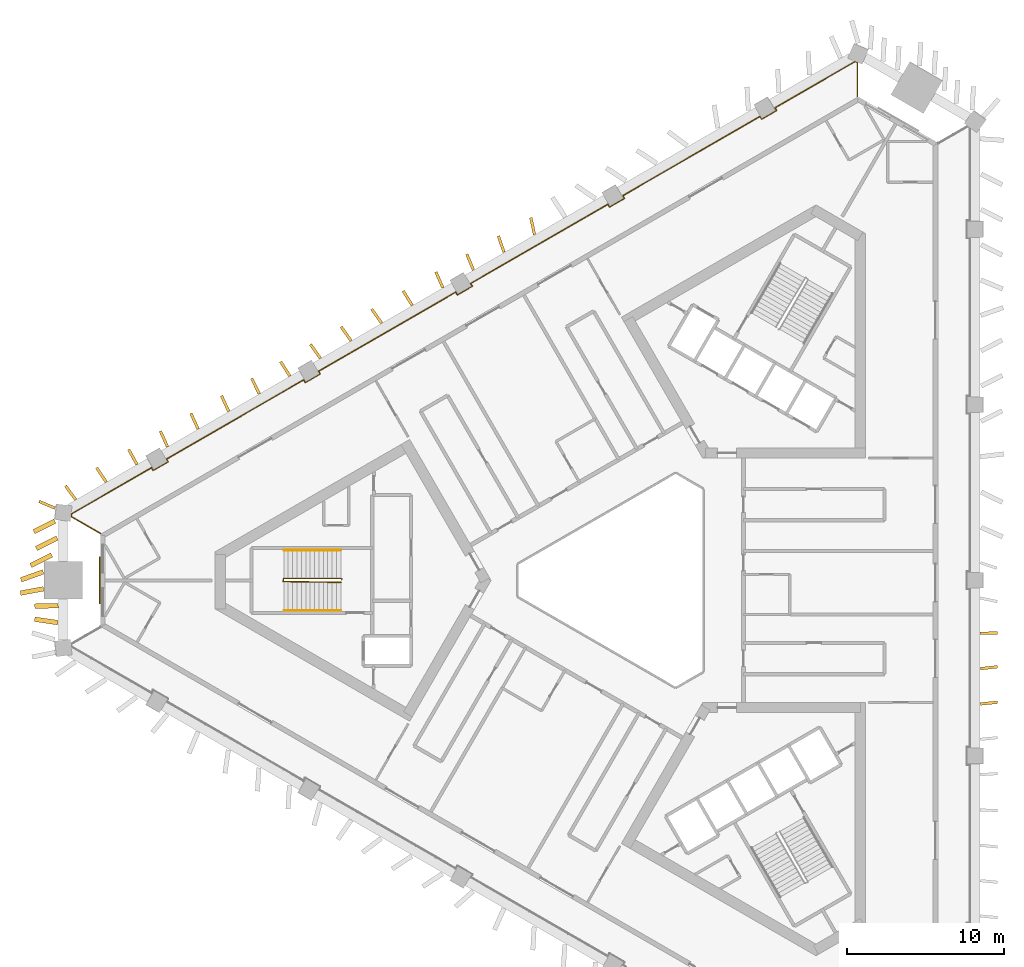
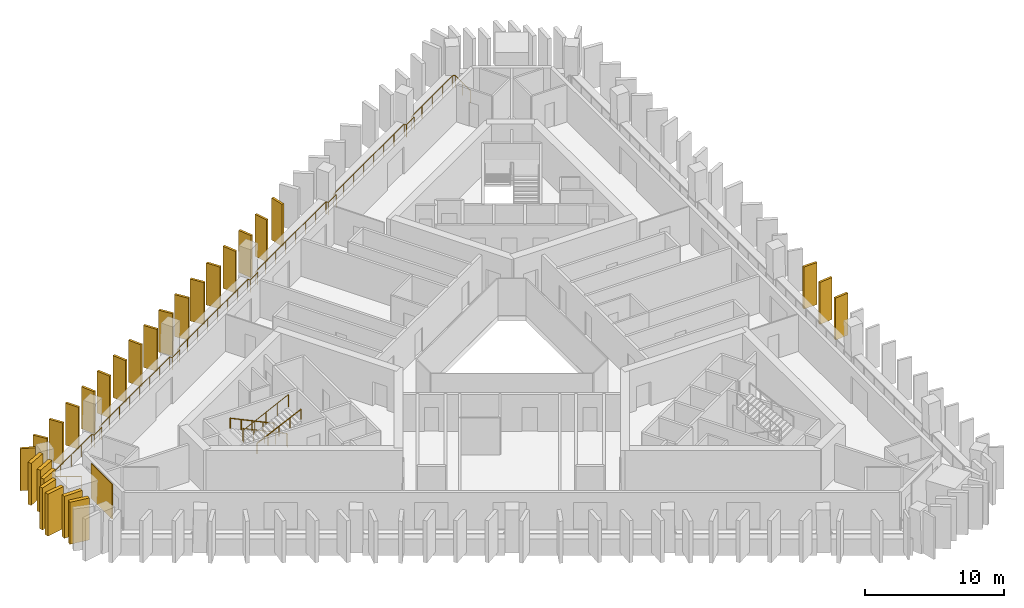
# One storey, part 9 of 10: 27 shading devices, 4 railings, 1 covering.
"""IFC4 building model written with IfcOpenShell, lengths in metres."""

from ifc_helpers import new_model, si_unit, direction, frame, frame_2d, origin, origin_2d, place, context, subcontext, project, spatial, rectangle, circle, extrude, material, layer, layer_set, type_object, element, save


model = new_model("IFC4")

# Units and contexts
model_context = context("Model", 3, precision=1e-05, world=origin(), true_north=direction((0.0, 1.0)))
body_context = subcontext(model_context, "Body", "Model", "MODEL_VIEW")
ifc_project = project(units=[si_unit("LENGTHUNIT", "METRE"), si_unit("AREAUNIT", "SQUARE_METRE"), si_unit("VOLUMEUNIT", "CUBIC_METRE"), si_unit("PLANEANGLEUNIT", "RADIAN"), si_unit("MASSUNIT", "GRAM", prefix="KILO")], contexts=[model_context])

# Site, building, storey
site_placement = place(None, origin())
site = spatial("IfcSite", under=ifc_project, at=site_placement, CompositionType="ELEMENT")
building_placement = place(site_placement, origin())
building = spatial("IfcBuilding", under=site, at=building_placement, Name="Jabali Bay Hotel Tower and Convention Centre", CompositionType="ELEMENT")
storey_placement = place(building_placement, frame((0.0, 0.0, 136.39990234375)))
storey = spatial("IfcBuildingStorey", under=building, at=storey_placement, Name="L33", CompositionType="ELEMENT", Elevation=136.39990234375)

# Railing
ifc_material_1 = material(Name="Glass", Category="glass")
railing_type_1 = type_object("IfcRailingType", Name="Loggia glass guard 1100", PredefinedType="BALUSTRADE", material=ifc_material_1)
railing_1_placement = place(storey_placement, frame((41.077392578125, 82.9912109375, 0.0)))
element("IfcRailing", 1, at=railing_1_placement, inside=storey, type_object=railing_type_1, Name="Loggia glass guard L33", PredefinedType="BALUSTRADE", context=body_context, shape_type="SweptSolid", body=[
    extrude(circle(Radius=0.02490234375, at=origin_2d()), frame((0.0, 0.0, 1.0751953125), z_axis=(-0.866035399557, 0.499982686414, 0.0), x_axis=(-0.495705265221, -0.858626346659, 0.13052619222)), (0.0, 0.0, 1.0), 2.16552734375),
    extrude(circle(Radius=0.02490234375, at=origin_2d()), frame((-1.87548828125, 1.082763671875, 1.0751953125), z_axis=(0.119207070312, 0.99286941457, 0.0), x_axis=(-0.98437527909, 0.1181872373, 0.13052619222)), (0.0, 0.0, 1.0), 0.15576171875),
    extrude(circle(Radius=0.02490234375, at=origin_2d()), frame((-1.85693359375, 1.2373046875, 1.0751953125), z_axis=(0.866023265602, 0.500003703423, 0.0), x_axis=(-0.495726102427, 0.858614316511, 0.13052619222)), (0.0, 0.0, 1.0), 5.9111328125),
    extrude(circle(Radius=0.02490234375, at=origin_2d()), frame((3.26220703125, 4.19287109375, 1.0751953125), z_axis=(0.499687197852, -0.866205924883, 0.0), x_axis=(0.858795413117, 0.495412304605, 0.13052619222)), (0.0, 0.0, 1.0), 0.199951171875),
    extrude(circle(Radius=0.02490234375, at=origin_2d()), frame((3.362060546875, 4.019775390625, 1.0751953125), z_axis=(0.866008176907, 0.50002983664, 0.0), x_axis=(-0.495752012071, 0.858599356902, 0.13052619222)), (0.0, 0.0, 1.0), 1.10009765625),
    extrude(circle(Radius=0.02490234375, at=origin_2d()), frame((4.314697265625, 4.56982421875, 1.0751953125), z_axis=(-0.499687197852, 0.866205924883, 0.0), x_axis=(-0.858795413117, -0.495412304605, 0.13052619222)), (0.0, 0.0, 1.0), 0.199951171875),
    extrude(circle(Radius=0.02490234375, at=origin_2d()), frame((4.21484375, 4.742919921875, 1.0751953125), z_axis=(0.866022241808, 0.500005476663, 0.0), x_axis=(-0.495727860496, 0.858613301476, 0.13052619222)), (0.0, 0.0, 1.0), 10.10546875),
    extrude(circle(Radius=0.02490234375, at=origin_2d()), frame((12.96630859375, 9.795654296875, 1.0751953125), z_axis=(0.499158860599, -0.866510491504, 0.0), x_axis=(0.859097374128, 0.49488848735, 0.13052619222)), (0.0, 0.0, 1.0), 0.199951171875),
    extrude(circle(Radius=0.02490234375, at=origin_2d()), frame((13.066162109375, 9.622314453125, 1.0751953125), z_axis=(0.866008176907, 0.50002983664, 0.0), x_axis=(-0.495752012071, 0.858599356902, 0.13052619222)), (0.0, 0.0, 1.0), 1.10009765625),
    extrude(circle(Radius=0.02490234375, at=origin_2d()), frame((14.018798828125, 10.17236328125, 1.0751953125), z_axis=(-0.499158860599, 0.866510491504, 0.0), x_axis=(-0.859097374128, -0.49488848735, 0.13052619222)), (0.0, 0.0, 1.0), 0.199951171875),
    extrude(circle(Radius=0.02490234375, at=origin_2d()), frame((13.9189453125, 10.345703125, 1.0751953125), z_axis=(0.866032703202, 0.499987356825, 0.0), x_axis=(-0.495709895676, 0.858623673371, 0.13052619222)), (0.0, 0.0, 1.0), 10.105224609375),
    extrude(circle(Radius=0.02490234375, at=origin_2d()), frame((22.67041015625, 15.398193359375, 1.0751953125), z_axis=(0.499687197852, -0.866205924883, 0.0), x_axis=(0.858795413117, 0.495412304605, 0.13052619222)), (0.0, 0.0, 1.0), 0.199951171875),
    extrude(circle(Radius=0.02490234375, at=origin_2d()), frame((22.770263671875, 15.22509765625, 1.0751953125), z_axis=(0.866008176907, 0.50002983664, 0.0), x_axis=(-0.495752012071, 0.858599356902, 0.13052619222)), (0.0, 0.0, 1.0), 1.10009765625),
    extrude(circle(Radius=0.02490234375, at=origin_2d()), frame((23.722900390625, 15.775146484375, 1.0751953125), z_axis=(-0.499687197852, 0.866205924883, 0.0), x_axis=(-0.858795413117, -0.495412304605, 0.13052619222)), (0.0, 0.0, 1.0), 0.199951171875),
    extrude(circle(Radius=0.02490234375, at=origin_2d()), frame((23.623046875, 15.9482421875, 1.0751953125), z_axis=(0.866022241808, 0.500005476663, 0.0), x_axis=(-0.495727860496, 0.858613301476, 0.13052619222)), (0.0, 0.0, 1.0), 10.10546875),
    extrude(circle(Radius=0.02490234375, at=origin_2d()), frame((32.37451171875, 21.0009765625, 1.0751953125), z_axis=(0.499158860599, -0.866510491504, 0.0), x_axis=(0.859097374128, 0.49488848735, 0.13052619222)), (0.0, 0.0, 1.0), 0.199951171875),
    extrude(circle(Radius=0.02490234375, at=origin_2d()), frame((32.474365234375, 20.82763671875, 1.0751953125), z_axis=(0.866008176907, 0.50002983664, 0.0), x_axis=(-0.495752012071, 0.858599356902, 0.13052619222)), (0.0, 0.0, 1.0), 1.10009765625),
    extrude(circle(Radius=0.02490234375, at=origin_2d()), frame((33.427001953125, 21.377685546875, 1.0751953125), z_axis=(-0.499158860599, 0.866510491504, 0.0), x_axis=(-0.859097374128, -0.49488848735, 0.13052619222)), (0.0, 0.0, 1.0), 0.199951171875),
    extrude(circle(Radius=0.02490234375, at=origin_2d()), frame((33.3271484375, 21.551025390625, 1.0751953125), z_axis=(0.866032703202, 0.499987356825, 0.0), x_axis=(-0.495709895676, 0.858623673371, 0.13052619222)), (0.0, 0.0, 1.0), 10.105224609375),
    extrude(circle(Radius=0.02490234375, at=origin_2d()), frame((42.07861328125, 26.603515625, 1.0751953125), z_axis=(0.499687197852, -0.866205924883, 0.0), x_axis=(0.858795413117, 0.495412304605, 0.13052619222)), (0.0, 0.0, 1.0), 0.199951171875),
    extrude(circle(Radius=0.02490234375, at=origin_2d()), frame((42.178466796875, 26.430419921875, 1.0751953125), z_axis=(0.866008176907, 0.50002983664, 0.0), x_axis=(-0.495752012071, 0.858599356902, 0.13052619222)), (0.0, 0.0, 1.0), 1.10009765625),
    extrude(circle(Radius=0.02490234375, at=origin_2d()), frame((43.131103515625, 26.98046875, 1.0751953125), z_axis=(-0.499687197852, 0.866205924883, 0.0), x_axis=(-0.858795413117, -0.495412304605, 0.13052619222)), (0.0, 0.0, 1.0), 0.199951171875),
    extrude(circle(Radius=0.02490234375, at=origin_2d()), frame((43.03125, 27.153564453125, 1.0751953125), z_axis=(0.866023265602, 0.500003703423, 0.0), x_axis=(-0.495726102427, 0.858614316511, 0.13052619222)), (0.0, 0.0, 1.0), 5.9111328125),
    extrude(circle(Radius=0.02490234375, at=origin_2d()), frame((48.150390625, 30.109130859375, 1.0751953125), z_axis=(0.919226147347, -0.393729970962, 0.0), x_axis=(0.39036155648, 0.911362040227, 0.13052619222)), (0.0, 0.0, 1.0), 0.155517578125),
    extrude(circle(Radius=0.02490234375, at=origin_2d()), frame((48.29345703125, 30.0478515625, 1.0751953125), z_axis=(0.0, -1.0, 0.0), x_axis=(0.991444861374, 0.0, 0.13052619222)), (0.0, 0.0, 1.0), 2.16552734375),
    extrude(circle(Radius=0.02001953125, at=origin_2d()), origin(), (0.0, 0.0, 1.0), 1.050048828125),
    extrude(circle(Radius=0.02001953125, at=origin_2d()), frame((-0.937744140625, 0.54150390625, 0.0)), (0.0, 0.0, 1.0), 1.050048828125),
    extrude(circle(Radius=0.02001953125, at=origin_2d()), frame((-1.87548828125, 1.082763671875, 0.0)), (0.0, 0.0, 1.0), 1.050048828125),
    extrude(circle(Radius=0.02001953125, at=origin_2d()), frame((-1.85693359375, 1.2373046875, 0.0)), (0.0, 0.0, 1.0), 1.050048828125),
    extrude(circle(Radius=0.02001953125, at=origin_2d()), frame((-0.5771484375, 1.97607421875, 0.0)), (0.0, 0.0, 1.0), 1.050048828125),
    extrude(circle(Radius=0.02001953125, at=origin_2d()), frame((0.70263671875, 2.715087890625, 0.0)), (0.0, 0.0, 1.0), 1.050048828125),
    extrude(circle(Radius=0.02001953125, at=origin_2d()), frame((1.982421875, 3.4541015625, 0.0)), (0.0, 0.0, 1.0), 1.050048828125),
    extrude(circle(Radius=0.02001953125, at=origin_2d()), frame((3.26220703125, 4.19287109375, 0.0)), (0.0, 0.0, 1.0), 1.050048828125),
    extrude(circle(Radius=0.02001953125, at=origin_2d()), frame((3.362060546875, 4.019775390625, 0.0)), (0.0, 0.0, 1.0), 1.050048828125),
    extrude(circle(Radius=0.02001953125, at=origin_2d()), frame((4.314697265625, 4.56982421875, 0.0)), (0.0, 0.0, 1.0), 1.050048828125),
    extrude(circle(Radius=0.02001953125, at=origin_2d()), frame((4.21484375, 4.742919921875, 0.0)), (0.0, 0.0, 1.0), 1.050048828125),
    extrude(circle(Radius=0.02001953125, at=origin_2d()), frame((5.465087890625, 5.46484375, 0.0)), (0.0, 0.0, 1.0), 1.050048828125),
    extrude(circle(Radius=0.02001953125, at=origin_2d()), frame((6.71533203125, 6.1865234375, 0.0)), (0.0, 0.0, 1.0), 1.050048828125),
    extrude(circle(Radius=0.02001953125, at=origin_2d()), frame((7.965576171875, 6.908447265625, 0.0)), (0.0, 0.0, 1.0), 1.050048828125),
    extrude(circle(Radius=0.02001953125, at=origin_2d()), frame((9.215576171875, 7.630126953125, 0.0)), (0.0, 0.0, 1.0), 1.050048828125),
    extrude(circle(Radius=0.02001953125, at=origin_2d()), frame((10.4658203125, 8.35205078125, 0.0)), (0.0, 0.0, 1.0), 1.050048828125),
    extrude(circle(Radius=0.02001953125, at=origin_2d()), frame((11.716064453125, 9.07373046875, 0.0)), (0.0, 0.0, 1.0), 1.050048828125),
    extrude(circle(Radius=0.02001953125, at=origin_2d()), frame((12.96630859375, 9.795654296875, 0.0)), (0.0, 0.0, 1.0), 1.050048828125),
    extrude(circle(Radius=0.02001953125, at=origin_2d()), frame((13.066162109375, 9.622314453125, 0.0)), (0.0, 0.0, 1.0), 1.050048828125),
    extrude(circle(Radius=0.02001953125, at=origin_2d()), frame((14.018798828125, 10.17236328125, 0.0)), (0.0, 0.0, 1.0), 1.050048828125),
    extrude(circle(Radius=0.02001953125, at=origin_2d()), frame((13.9189453125, 10.345703125, 0.0)), (0.0, 0.0, 1.0), 1.050048828125),
    extrude(circle(Radius=0.02001953125, at=origin_2d()), frame((15.169189453125, 11.0673828125, 0.0)), (0.0, 0.0, 1.0), 1.050048828125),
    extrude(circle(Radius=0.02001953125, at=origin_2d()), frame((16.41943359375, 11.789306640625, 0.0)), (0.0, 0.0, 1.0), 1.050048828125),
    extrude(circle(Radius=0.02001953125, at=origin_2d()), frame((17.669677734375, 12.510986328125, 0.0)), (0.0, 0.0, 1.0), 1.050048828125),
    extrude(circle(Radius=0.02001953125, at=origin_2d()), frame((18.919677734375, 13.23291015625, 0.0)), (0.0, 0.0, 1.0), 1.050048828125),
    extrude(circle(Radius=0.02001953125, at=origin_2d()), frame((20.169921875, 13.95458984375, 0.0)), (0.0, 0.0, 1.0), 1.050048828125),
    extrude(circle(Radius=0.02001953125, at=origin_2d()), frame((21.420166015625, 14.676513671875, 0.0)), (0.0, 0.0, 1.0), 1.050048828125),
    extrude(circle(Radius=0.02001953125, at=origin_2d()), frame((22.67041015625, 15.398193359375, 0.0)), (0.0, 0.0, 1.0), 1.050048828125),
    extrude(circle(Radius=0.02001953125, at=origin_2d()), frame((22.770263671875, 15.22509765625, 0.0)), (0.0, 0.0, 1.0), 1.050048828125),
    extrude(circle(Radius=0.02001953125, at=origin_2d()), frame((23.722900390625, 15.775146484375, 0.0)), (0.0, 0.0, 1.0), 1.050048828125),
    extrude(circle(Radius=0.02001953125, at=origin_2d()), frame((23.623046875, 15.9482421875, 0.0)), (0.0, 0.0, 1.0), 1.050048828125),
    extrude(circle(Radius=0.02001953125, at=origin_2d()), frame((24.873291015625, 16.670166015625, 0.0)), (0.0, 0.0, 1.0), 1.050048828125),
    extrude(circle(Radius=0.02001953125, at=origin_2d()), frame((26.12353515625, 17.391845703125, 0.0)), (0.0, 0.0, 1.0), 1.050048828125),
    extrude(circle(Radius=0.02001953125, at=origin_2d()), frame((27.373779296875, 18.11376953125, 0.0)), (0.0, 0.0, 1.0), 1.050048828125),
    extrude(circle(Radius=0.02001953125, at=origin_2d()), frame((28.623779296875, 18.83544921875, 0.0)), (0.0, 0.0, 1.0), 1.050048828125),
    extrude(circle(Radius=0.02001953125, at=origin_2d()), frame((29.8740234375, 19.557373046875, 0.0)), (0.0, 0.0, 1.0), 1.050048828125),
    extrude(circle(Radius=0.02001953125, at=origin_2d()), frame((31.124267578125, 20.279052734375, 0.0)), (0.0, 0.0, 1.0), 1.050048828125),
    extrude(circle(Radius=0.02001953125, at=origin_2d()), frame((32.37451171875, 21.0009765625, 0.0)), (0.0, 0.0, 1.0), 1.050048828125),
    extrude(circle(Radius=0.02001953125, at=origin_2d()), frame((32.474365234375, 20.82763671875, 0.0)), (0.0, 0.0, 1.0), 1.050048828125),
    extrude(circle(Radius=0.02001953125, at=origin_2d()), frame((33.427001953125, 21.377685546875, 0.0)), (0.0, 0.0, 1.0), 1.050048828125),
    extrude(circle(Radius=0.02001953125, at=origin_2d()), frame((33.3271484375, 21.551025390625, 0.0)), (0.0, 0.0, 1.0), 1.050048828125),
    extrude(circle(Radius=0.02001953125, at=origin_2d()), frame((34.577392578125, 22.272705078125, 0.0)), (0.0, 0.0, 1.0), 1.050048828125),
    extrude(circle(Radius=0.02001953125, at=origin_2d()), frame((35.82763671875, 22.99462890625, 0.0)), (0.0, 0.0, 1.0), 1.050048828125),
    extrude(circle(Radius=0.02001953125, at=origin_2d()), frame((37.077880859375, 23.71630859375, 0.0)), (0.0, 0.0, 1.0), 1.050048828125),
    extrude(circle(Radius=0.02001953125, at=origin_2d()), frame((38.327880859375, 24.438232421875, 0.0)), (0.0, 0.0, 1.0), 1.050048828125),
    extrude(circle(Radius=0.02001953125, at=origin_2d()), frame((39.578125, 25.159912109375, 0.0)), (0.0, 0.0, 1.0), 1.050048828125),
    extrude(circle(Radius=0.02001953125, at=origin_2d()), frame((40.828369140625, 25.8818359375, 0.0)), (0.0, 0.0, 1.0), 1.050048828125),
    extrude(circle(Radius=0.02001953125, at=origin_2d()), frame((42.07861328125, 26.603515625, 0.0)), (0.0, 0.0, 1.0), 1.050048828125),
    extrude(circle(Radius=0.02001953125, at=origin_2d()), frame((42.178466796875, 26.430419921875, 0.0)), (0.0, 0.0, 1.0), 1.050048828125),
    extrude(circle(Radius=0.02001953125, at=origin_2d()), frame((43.131103515625, 26.98046875, 0.0)), (0.0, 0.0, 1.0), 1.050048828125),
    extrude(circle(Radius=0.02001953125, at=origin_2d()), frame((43.03125, 27.153564453125, 0.0)), (0.0, 0.0, 1.0), 1.050048828125),
    extrude(circle(Radius=0.02001953125, at=origin_2d()), frame((44.31103515625, 27.892578125, 0.0)), (0.0, 0.0, 1.0), 1.050048828125),
    extrude(circle(Radius=0.02001953125, at=origin_2d()), frame((45.5908203125, 28.63134765625, 0.0)), (0.0, 0.0, 1.0), 1.050048828125),
    extrude(circle(Radius=0.02001953125, at=origin_2d()), frame((46.87060546875, 29.3701171875, 0.0)), (0.0, 0.0, 1.0), 1.050048828125),
    extrude(circle(Radius=0.02001953125, at=origin_2d()), frame((48.150390625, 30.109130859375, 0.0)), (0.0, 0.0, 1.0), 1.050048828125),
    extrude(circle(Radius=0.02001953125, at=origin_2d()), frame((48.29345703125, 30.0478515625, 0.0)), (0.0, 0.0, 1.0), 1.050048828125),
    extrude(circle(Radius=0.02001953125, at=origin_2d()), frame((48.29345703125, 28.965087890625, 0.0)), (0.0, 0.0, 1.0), 1.050048828125),
    extrude(circle(Radius=0.02001953125, at=origin_2d()), frame((48.29345703125, 27.88232421875, 0.0)), (0.0, 0.0, 1.0), 1.050048828125),
])

# Shading devices
ifc_material_2 = material(Name="Precast concrete C60", Category="concrete")
ifc_layer_1 = layer(ifc_material_2, 0.179931640625)
ifc_layer_set_1 = layer_set([ifc_layer_1], Name="Precast concrete C60")
shading_device_type_1 = type_object("IfcShadingDeviceType", Name="Precast fin 3680 x 1100", PredefinedType="USERDEFINED", material=ifc_layer_set_1)
for number, where, z_axis, x_axis, name in (
    (2, (97.203125, 72.1123046875, 0.010009765625), (0.0, 0.0, 1.0), (0.995067903191, 0.099196108993, 0.0), "Fin L33 009"),
    (3, (97.2041015625, 74.365966796875, 0.010009765625), (0.0, 0.0, 1.0), (0.994069067808, 0.108750578974, 0.0), "Fin L33 010"),
    (4, (97.1962890625, 76.61962890625, 0.010009765625), (0.0, 0.0, 1.0), (0.999763474232, 0.021748461815, 0.0), "Fin L33 011"),
    (5, (68.768310546875, 102.0615234375, 0.010009765625), (0.0, 0.0, 1.0), (-0.211498965694, 0.97737822132, 0.0), "Fin L33 044"),
):
    element("IfcShadingDevice", number, at=place(storey_placement, frame(where, z_axis=z_axis, x_axis=x_axis)), inside=storey, type_object=shading_device_type_1, Name=name, ObjectType="FIN", PredefinedType="USERDEFINED", context=body_context, shape_type="SweptSolid", body=[
        extrude(rectangle(XDim=1.10009765625, YDim=0.179931640625, at=frame_2d((0.550048828125, 0.0))), origin(), (0.0, 0.0, 1.0), 3.68017578125),
    ])
shading_device_1_placement = place(storey_placement, frame((66.821533203125, 100.92626953125, 0.010009765625), z_axis=(0.0, 0.0, 1.0), x_axis=(-0.321417199148, 0.946937687544, 0.0)))
element("IfcShadingDevice", 6, at=shading_device_1_placement, inside=storey, type_object=shading_device_type_1, Name="Fin L33 045", ObjectType="FIN", PredefinedType="USERDEFINED", context=body_context, shape_type="SweptSolid", body=[
    extrude(rectangle(XDim=1.099853515625, YDim=0.179931640625, at=frame_2d((0.5498046875, 0.0))), origin(), (0.0, 0.0, 1.0), 3.68017578125),
])
shading_device_2_placement = place(storey_placement, frame((64.872802734375, 99.79443359375, 0.010009765625), z_axis=(0.0, 0.0, 1.0), x_axis=(-0.382155768677, 0.924097921471, 0.0)))
element("IfcShadingDevice", 7, at=shading_device_2_placement, inside=storey, type_object=shading_device_type_1, Name="Fin L33 046", ObjectType="FIN", PredefinedType="USERDEFINED", context=body_context, shape_type="SweptSolid", body=[
    extrude(rectangle(XDim=1.10009765625, YDim=0.179931640625, at=frame_2d((0.550048828125, 0.0))), origin(), (0.0, 0.0, 1.0), 3.68017578125),
])
for number, where, z_axis, x_axis, name in (
    (8, (62.922119140625, 98.665771484375, 0.010009765625), (0.0, 0.0, 1.0), (-0.40463453247, 0.914478482597, 0.0), "Fin L33 047"),
    (9, (60.9736328125, 97.53369140625, 0.010009765625), (0.0, 0.0, 1.0), (-0.532689641282, 0.846310667587, 0.0), "Fin L33 048"),
):
    element("IfcShadingDevice", number, at=place(storey_placement, frame(where, z_axis=z_axis, x_axis=x_axis)), inside=storey, type_object=shading_device_type_1, Name=name, ObjectType="FIN", PredefinedType="USERDEFINED", context=body_context, shape_type="SweptSolid", body=[
        extrude(rectangle(XDim=1.099853515625, YDim=0.179931640625, at=frame_2d((0.5498046875, 0.0))), origin(), (0.0, 0.0, 1.0), 3.68017578125),
    ])
for number, where, z_axis, x_axis, name in (
    (10, (59.019287109375, 96.411376953125, 0.010009765625), (0.0, 0.0, 1.0), (-0.580398075065, 0.814332901497, 0.0), "Fin L33 049"),
    (11, (57.067626953125, 95.284423828125, 0.010009765625), (0.0, 0.0, 1.0), (-0.579494305138, 0.814976288191, 0.0), "Fin L33 050"),
):
    element("IfcShadingDevice", number, at=place(storey_placement, frame(where, z_axis=z_axis, x_axis=x_axis)), inside=storey, type_object=shading_device_type_1, Name=name, ObjectType="FIN", PredefinedType="USERDEFINED", context=body_context, shape_type="SweptSolid", body=[
        extrude(rectangle(XDim=1.10009765625, YDim=0.179931640625, at=frame_2d((0.550048828125, 0.0))), origin(), (0.0, 0.0, 1.0), 3.68017578125),
    ])
for number, where, z_axis, x_axis, name in (
    (12, (55.115966796875, 94.157470703125, 0.010009765625), (0.0, 0.0, 1.0), (-0.579094563248, 0.815260379766, 0.0), "Fin L33 051"),
    (13, (53.16650390625, 93.027099609375, 0.010009765625), (0.0, 0.0, 1.0), (-0.540690280945, 0.841221742522, 0.0), "Fin L33 052"),
    (14, (51.214111328125, 91.901611328125, 0.010009765625), (0.0, 0.0, 1.0), (-0.444370211076, 0.895843242709, 0.0), "Fin L33 053"),
):
    element("IfcShadingDevice", number, at=place(storey_placement, frame(where, z_axis=z_axis, x_axis=x_axis)), inside=storey, type_object=shading_device_type_1, Name=name, ObjectType="FIN", PredefinedType="USERDEFINED", context=body_context, shape_type="SweptSolid", body=[
        extrude(rectangle(XDim=1.099853515625, YDim=0.179931640625, at=frame_2d((0.5498046875, 0.0))), origin(), (0.0, 0.0, 1.0), 3.68017578125),
    ])
shading_device_3_placement = place(storey_placement, frame((49.260986328125, 90.777099609375, 0.010009765625), z_axis=(0.0, 0.0, 1.0), x_axis=(-0.416593570775, 0.909092842777, 0.0)))
element("IfcShadingDevice", 15, at=shading_device_3_placement, inside=storey, type_object=shading_device_type_1, Name="Fin L33 054", ObjectType="FIN", PredefinedType="USERDEFINED", context=body_context, shape_type="SweptSolid", body=[
    extrude(rectangle(XDim=1.10009765625, YDim=0.179931640625, at=frame_2d((0.550048828125, 0.0))), origin(), (0.0, 0.0, 1.0), 3.68017578125),
])
for number, where, z_axis, x_axis, name in (
    (16, (47.309326171875, 89.650390625, 0.010009765625), (0.0, 0.0, 1.0), (-0.4164101177, 0.909176888112, 0.0), "Fin L33 055"),
    (17, (45.357666015625, 88.523681640625, 0.010009765625), (0.0, 0.0, 1.0), (-0.41595908255, 0.909383330419, 0.0), "Fin L33 056"),
):
    element("IfcShadingDevice", number, at=place(storey_placement, frame(where, z_axis=z_axis, x_axis=x_axis)), inside=storey, type_object=shading_device_type_1, Name=name, ObjectType="FIN", PredefinedType="USERDEFINED", context=body_context, shape_type="SweptSolid", body=[
        extrude(rectangle(XDim=1.099853515625, YDim=0.179931640625, at=frame_2d((0.5498046875, 0.0))), origin(), (0.0, 0.0, 1.0), 3.68017578125),
    ])
for number, where, z_axis, x_axis, name in (
    (18, (43.409423828125, 87.390869140625, 0.010009765625), (0.0, 0.0, 1.0), (-0.482889603264, 0.875681238271, 0.0), "Fin L33 057"),
    (19, (41.455322265625, 86.26806640625, 0.010009765625), (0.0, 0.0, 1.0), (-0.559964482852, 0.828516612956, 0.0), "Fin L33 058"),
    (20, (39.501953125, 85.14453125, 0.010009765625), (0.0, 0.0, 1.0), (-0.592373502207, 0.805663474339, 0.0), "Fin L33 059"),
):
    element("IfcShadingDevice", number, at=place(storey_placement, frame(where, z_axis=z_axis, x_axis=x_axis)), inside=storey, type_object=shading_device_type_1, Name=name, ObjectType="FIN", PredefinedType="USERDEFINED", context=body_context, shape_type="SweptSolid", body=[
        extrude(rectangle(XDim=1.10009765625, YDim=0.179931640625, at=frame_2d((0.550048828125, 0.0))), origin(), (0.0, 0.0, 1.0), 3.68017578125),
    ])
shading_device_4_placement = place(storey_placement, frame((38.1826171875, 84.604736328125, 0.010009765625), z_axis=(0.0, 0.0, 1.0), x_axis=(-0.920334913841, 0.391131239312, 0.0)))
element("IfcShadingDevice", 21, at=shading_device_4_placement, inside=storey, type_object=shading_device_type_1, Name="Fin L33 105", ObjectType="FIN", PredefinedType="USERDEFINED", context=body_context, shape_type="SweptSolid", body=[
    extrude(rectangle(XDim=1.099853515625, YDim=0.179931640625, at=frame_2d((0.5498046875, 0.0))), origin(), (0.0, 0.0, 1.0), 3.68017578125),
])
ifc_layer_2 = layer(ifc_material_2, 0.300048828125)
ifc_layer_set_2 = layer_set([ifc_layer_2], Name="Precast concrete C60")
shading_device_type_2 = type_object("IfcShadingDeviceType", Name="Precast fin 3680 x 1500", PredefinedType="USERDEFINED", material=ifc_layer_set_2)
for number, where, z_axis, x_axis, name in (
    (22, (38.173583984375, 83.779296875, 0.010009765625), (0.0, 0.0, 1.0), (-0.893186849307, -0.449685726063, 0.0), "Fin L33 060"),
    (23, (38.322998046875, 82.699462890625, 0.010009765625), (0.0, 0.0, 1.0), (-0.893252214826, -0.449555870508, 0.0), "Fin L33 061"),
    (24, (37.978271484375, 81.61962890625, 0.010009765625), (0.0, 0.0, 1.0), (-0.893252214826, -0.449555870508, 0.0), "Fin L33 062"),
    (25, (37.427490234375, 80.539794921875, 0.010009765625), (0.0, 0.0, 1.0), (-0.941764004493, -0.336274530467, 0.0), "Fin L33 063"),
):
    element("IfcShadingDevice", number, at=place(storey_placement, frame(where, z_axis=z_axis, x_axis=x_axis)), inside=storey, type_object=shading_device_type_2, Name=name, ObjectType="FIN", PredefinedType="USERDEFINED", context=body_context, shape_type="SweptSolid", body=[
        extrude(rectangle(XDim=1.5, YDim=0.300048828125, at=frame_2d((0.75, 0.0))), origin(), (0.0, 0.0, 1.0), 3.68017578125),
    ])
for number, where, z_axis, x_axis, name in (
    (26, (37.45068359375, 79.460205078125, 0.010009765625), (0.0, 0.0, 1.0), (-0.983127327075, -0.182922548524, 0.0), "Fin L33 064"),
    (27, (38.38818359375, 78.38037109375, 0.010009765625), (0.0, 0.0, 1.0), (-0.999870206358, -0.016111189849, 0.0), "Fin L33 065"),
):
    element("IfcShadingDevice", number, at=place(storey_placement, frame(where, z_axis=z_axis, x_axis=x_axis)), inside=storey, type_object=shading_device_type_2, Name=name, ObjectType="FIN", PredefinedType="USERDEFINED", context=body_context, shape_type="SweptSolid", body=[
        extrude(rectangle(XDim=1.500244140625, YDim=0.300048828125, at=frame_2d((0.75, 0.0))), origin(), (0.0, 0.0, 1.0), 3.68017578125),
    ])
shading_device_5_placement = place(storey_placement, frame((38.36865234375, 77.300537109375, 0.010009765625), z_axis=(0.0, 0.0, 1.0), x_axis=(-0.989308080173, 0.145840743638, 0.0)))
element("IfcShadingDevice", 28, at=shading_device_5_placement, inside=storey, type_object=shading_device_type_2, Name="Fin L33 066", ObjectType="FIN", PredefinedType="USERDEFINED", context=body_context, shape_type="SweptSolid", body=[
    extrude(rectangle(XDim=1.5, YDim=0.300048828125, at=frame_2d((0.75, 0.0))), origin(), (0.0, 0.0, 1.0), 3.68017578125),
])

# Covering
ifc_material_3 = material(Name="Precast concrete C40/50", Category="concrete")
ifc_layer_3 = layer(ifc_material_3, 0.080078125)
ifc_layer_set_3 = layer_set([ifc_layer_3], Name="Precast concrete C40/50")
covering_type = type_object("IfcCoveringType", Name="Relief panel 3000 x 3050", PredefinedType="CLADDING", material=ifc_layer_set_3)
covering_placement = place(storey_placement, frame((41.037353515625, 80.0, 0.10009765625), z_axis=(0.0, 0.0, 1.0), x_axis=(0.0, 1.0, 0.0)))
element("IfcCovering", 29, at=covering_placement, inside=storey, type_object=covering_type, Name="Relief panel L33", PredefinedType="CLADDING", context=body_context, shape_type="SweptSolid", body=[
    extrude(rectangle(XDim=3.0, YDim=0.080078125, at=origin_2d()), origin(), (0.0, 0.0, 1.0), 3.050048828125),
])

# Railings
ifc_material_4 = material(Name="Steel Q355B", Category="steel")
railing_type_2 = type_object("IfcRailingType", Name="Stair guard 1100", PredefinedType="GUARDRAIL", material=ifc_material_4)
railing_2_placement = place(storey_placement, frame((56.469970703125, 80.074951171875, 0.0)))
element("IfcRailing", 30, at=railing_2_placement, inside=storey, type_object=railing_type_2, Name="L33 ST1 stair guard 1", PredefinedType="GUARDRAIL", context=body_context, shape_type="SweptSolid", body=[
    extrude(circle(Radius=0.02392578125, at=origin_2d()), frame((0.0, 0.0, 1.076171875), z_axis=(-0.333514590198, 0.333514590198, 0.881780038474), x_axis=(-0.707106781187, -0.707106781187, 0.0)), (0.0, 0.0, 1.0), 0.150146484375),
    extrude(circle(Radius=0.02392578125, at=origin_2d()), frame((-0.050048828125, 0.050048828125, 1.20849609375), z_axis=(-0.904350763662, 0.0, 0.426789990819), x_axis=(0.0, -1.0, 0.0)), (0.0, 0.0, 1.0), 4.02490234375),
    extrude(circle(Radius=0.02392578125, at=origin_2d()), frame((-3.68994140625, 0.050048828125, 2.92626953125), z_axis=(-0.242814311512, -0.970072785993, 0.0), x_axis=(0.970072785993, -0.242814311512, 0.0)), (0.0, 0.0, 1.0), 0.2060546875),
    extrude(circle(Radius=0.02392578125, at=origin_2d()), frame((-3.739990234375, -0.14990234375, 2.92626953125), z_axis=(0.893864111827, -0.012124000458, 0.448174026692), x_axis=(0.013562335953, 0.999908027292, 0.0)), (0.0, 0.0, 1.0), 4.128173828125),
    extrude(circle(Radius=0.02099609375, at=origin_2d()), origin(), (0.0, 0.0, 1.0), 1.052001953125),
    extrude(circle(Radius=0.02099609375, at=origin_2d()), frame((-0.050048828125, 0.050048828125, 0.13232421875)), (0.0, 0.0, 1.0), 1.052001953125),
    extrude(circle(Radius=0.02099609375, at=origin_2d()), frame((-0.9599609375, 0.050048828125, 0.561767578125)), (0.0, 0.0, 1.0), 1.052001953125),
    extrude(circle(Radius=0.02099609375, at=origin_2d()), frame((-1.8701171875, 0.050048828125, 0.9912109375)), (0.0, 0.0, 1.0), 1.052001953125),
    extrude(circle(Radius=0.02099609375, at=origin_2d()), frame((-2.780029296875, 0.050048828125, 1.420654296875)), (0.0, 0.0, 1.0), 1.052001953125),
    extrude(circle(Radius=0.02099609375, at=origin_2d()), frame((-3.68994140625, 0.050048828125, 1.85009765625)), (0.0, 0.0, 1.0), 1.052001953125),
    extrude(circle(Radius=0.02099609375, at=origin_2d()), frame((-3.739990234375, -0.14990234375, 1.85009765625)), (0.0, 0.0, 1.0), 1.052001953125),
    extrude(circle(Radius=0.02099609375, at=origin_2d()), frame((-2.8173828125, -0.162353515625, 2.3125)), (0.0, 0.0, 1.0), 1.052001953125),
    extrude(circle(Radius=0.02099609375, at=origin_2d()), frame((-1.89501953125, -0.1748046875, 2.775146484375)), (0.0, 0.0, 1.0), 1.052001953125),
    extrude(circle(Radius=0.02099609375, at=origin_2d()), frame((-0.97265625, -0.1875, 3.23779296875)), (0.0, 0.0, 1.0), 1.052001953125),
    extrude(circle(Radius=0.02099609375, at=origin_2d()), frame((-0.050048828125, -0.199951171875, 3.7001953125)), (0.0, 0.0, 1.0), 1.052001953125),
])
railing_type_3 = type_object("IfcRailingType", Name="Stair handrail 900", PredefinedType="HANDRAIL", material=ifc_material_4)
railing_3_placement = place(storey_placement, frame((56.419921875, 81.925048828125, 0.13232421875)))
element("IfcRailing", 31, at=railing_3_placement, inside=storey, type_object=railing_type_3, Name="L33 ST1 stair handrail 1", PredefinedType="HANDRAIL", context=body_context, shape_type="SweptSolid", body=[
    extrude(circle(Radius=0.02392578125, at=origin_2d()), frame((0.0, 0.0, 0.8759765625), z_axis=(-0.904350763662, 0.0, 0.426789990819), x_axis=(0.0, -1.0, 0.0)), (0.0, 0.0, 1.0), 4.02490234375),
    extrude(circle(Radius=0.02099609375, at=origin_2d()), origin(), (0.0, 0.0, 1.0), 0.851806640625),
    extrude(circle(Radius=0.02099609375, at=origin_2d()), frame((-0.909912109375, 0.0, 0.429443359375)), (0.0, 0.0, 1.0), 0.851806640625),
    extrude(circle(Radius=0.02099609375, at=origin_2d()), frame((-1.81982421875, 0.0, 0.85888671875)), (0.0, 0.0, 1.0), 0.851806640625),
    extrude(circle(Radius=0.02099609375, at=origin_2d()), frame((-2.72998046875, 0.0, 1.288330078125)), (0.0, 0.0, 1.0), 0.851806640625),
    extrude(circle(Radius=0.02099609375, at=origin_2d()), frame((-3.639892578125, 0.0, 1.7177734375)), (0.0, 0.0, 1.0), 0.851806640625),
])
railing_4_placement = place(storey_placement, frame((52.780029296875, 78.074951171875, 1.982177734375)))
element("IfcRailing", 32, at=railing_4_placement, inside=storey, type_object=railing_type_3, Name="L33 ST1 stair handrail 2", PredefinedType="HANDRAIL", context=body_context, shape_type="SweptSolid", body=[
    extrude(circle(Radius=0.02392578125, at=origin_2d()), frame((0.0, 0.0, 0.8759765625), z_axis=(0.904327350853, 0.0, 0.426839598092), x_axis=(0.0, 1.0, 0.0)), (0.0, 0.0, 1.0), 4.02490234375),
    extrude(circle(Radius=0.02099609375, at=origin_2d()), origin(), (0.0, 0.0, 1.0), 0.851806640625),
    extrude(circle(Radius=0.02099609375, at=origin_2d()), frame((0.909912109375, 0.0, 0.429443359375)), (0.0, 0.0, 1.0), 0.851806640625),
    extrude(circle(Radius=0.02099609375, at=origin_2d()), frame((1.81982421875, 0.0, 0.85888671875)), (0.0, 0.0, 1.0), 0.851806640625),
    extrude(circle(Radius=0.02099609375, at=origin_2d()), frame((2.72998046875, 0.0, 1.28857421875)), (0.0, 0.0, 1.0), 0.851806640625),
    extrude(circle(Radius=0.02099609375, at=origin_2d()), frame((3.639892578125, 0.0, 1.718017578125)), (0.0, 0.0, 1.0), 0.851806640625),
])

save(model, "model.ifc")
